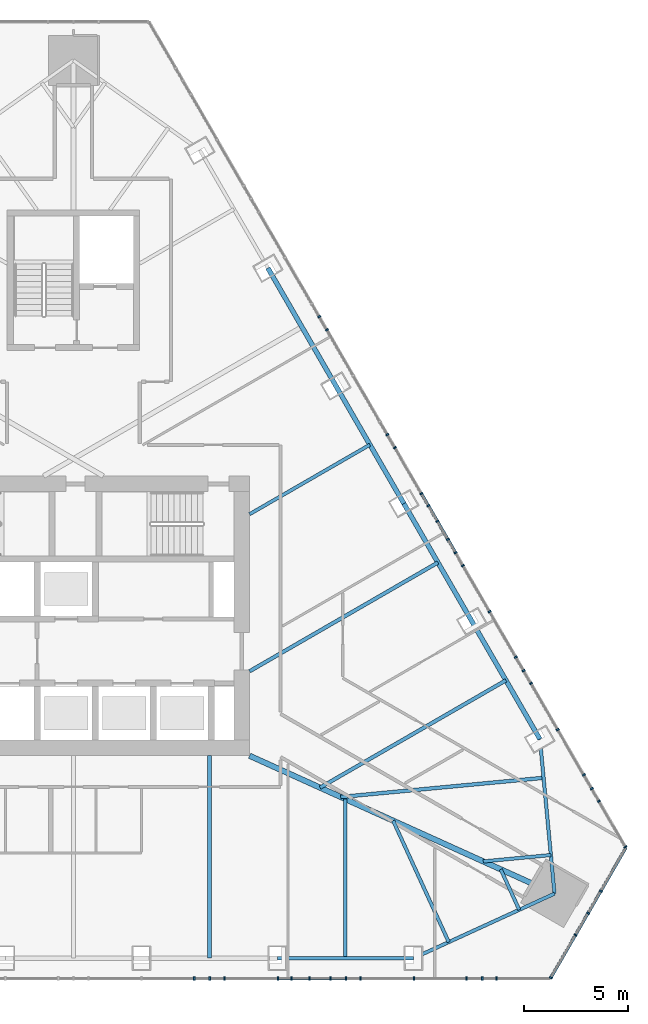
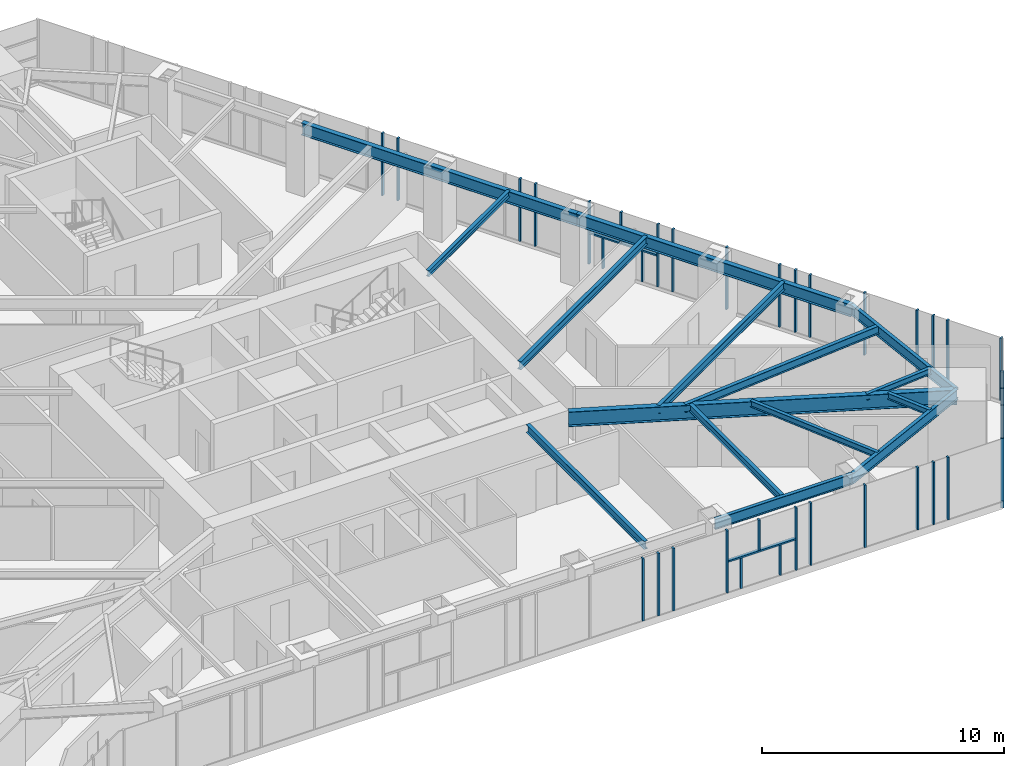
# One storey, part 8 of 20: 39 members, 15 beams, 3 elements without a shape of their own.
"""IFC4 building model written with IfcOpenShell, lengths in metres."""

from ifc_helpers import new_model, si_unit, direction, frame, origin, origin_2d, place, context, subcontext, project, spatial, rectangle, i_section, extrude, material, layer, layer_set, material_profile, profile_set, type_object, element, aggregate, save


model = new_model("IFC4")

# Units and contexts
model_context = context("Model", 3, precision=1e-05, world=origin(), true_north=direction((0.0, 1.0)))
body_context = subcontext(model_context, "Body", "Model", "MODEL_VIEW")
ifc_project = project(units=[si_unit("LENGTHUNIT", "METRE"), si_unit("AREAUNIT", "SQUARE_METRE"), si_unit("VOLUMEUNIT", "CUBIC_METRE"), si_unit("PLANEANGLEUNIT", "RADIAN"), si_unit("MASSUNIT", "GRAM", prefix="KILO")], contexts=[model_context])

# Site, building, storey
site_placement = place(None, origin())
site = spatial("IfcSite", under=ifc_project, at=site_placement, CompositionType="ELEMENT")
building_placement = place(site_placement, origin())
building = spatial("IfcBuilding", under=site, at=building_placement, Name="Firuza Gate Tower and Library", CompositionType="ELEMENT")
storey_placement = place(building_placement, frame((0.0, 0.0, 277.60009765625)))
storey = spatial("IfcBuildingStorey", under=building, at=storey_placement, Name="L66", CompositionType="ELEMENT", Elevation=277.60009765625)

# Curtain wall, members
ifc_material_1 = material(Name="Aluminium 6063-T6", Category="aluminium")
ifc_layer_1 = layer(ifc_material_1, 0.14990234375)
ifc_layer_set_1 = layer_set([ifc_layer_1], Name="Unitised curtain wall, residences")
curtain_wall_type_1 = type_object("IfcCurtainWallType", Name="Unitised curtain wall, residences", PredefinedType="NOTDEFINED", material=ifc_layer_set_1)
placement = place(storey_placement, origin())
curtain_wall_1 = element("IfcCurtainWall", 1, at=placement, inside=storey, type_object=curtain_wall_type_1, Name="CW3 L66 S face", PredefinedType="NOTDEFINED")
ifc_material_2 = material(Name="Aluminium 6063-T6", Category="aluminium")
ifc_material_profile_1 = material_profile(ifc_material_2, rectangle(XDim=0.14990234375, YDim=0.080078125, at=origin_2d()))
ifc_profile_set_1 = profile_set([ifc_material_profile_1], Name="Aluminium 6063-T6")
member_type_1 = type_object("IfcMemberType", Name="Curtain wall mullion 80x150", PredefinedType="MULLION", material=ifc_profile_set_1)
member_1_placement = place(storey_placement, frame((81.57763671875, 57.501220703125, 0.14990234375), z_axis=(0.0, 0.0, 1.0), x_axis=(0.0, 1.0, 0.0)))
member_1 = element("IfcMember", 2, at=member_1_placement, type_object=member_type_1, Name="Mullion", PredefinedType="MULLION", context=body_context, shape_type="SweptSolid", body=[
    extrude(rectangle(XDim=0.14990234375, YDim=0.080078125, at=origin_2d()), origin(), (0.0, 0.0, 1.0), 3.14990234375),
])
member_2_placement = place(storey_placement, frame((84.866455078125, 57.501220703125, 0.14990234375), z_axis=(0.0, 0.0, 1.0), x_axis=(0.0, 1.0, 0.0)))
member_2 = element("IfcMember", 3, at=member_2_placement, type_object=member_type_1, Name="Mullion", PredefinedType="MULLION", context=body_context, shape_type="SweptSolid", body=[
    extrude(rectangle(XDim=0.14990234375, YDim=0.080078125, at=origin_2d()), origin(), (0.0, 0.0, 1.0), 3.14990234375),
])
member_3_placement = place(storey_placement, frame((88.155517578125, 57.501220703125, 0.14990234375), z_axis=(0.0, 0.0, 1.0), x_axis=(0.0, 1.0, 0.0)))
member_3 = element("IfcMember", 4, at=member_3_placement, type_object=member_type_1, Name="Mullion", PredefinedType="MULLION", context=body_context, shape_type="SweptSolid", body=[
    extrude(rectangle(XDim=0.14990234375, YDim=0.080078125, at=origin_2d()), origin(), (0.0, 0.0, 1.0), 3.14990234375),
])
member_4_placement = place(storey_placement, frame((91.4443359375, 57.501220703125, 0.14990234375), z_axis=(0.0, 0.0, 1.0), x_axis=(0.0, 1.0, 0.0)))
member_4 = element("IfcMember", 5, at=member_4_placement, type_object=member_type_1, Name="Mullion", PredefinedType="MULLION", context=body_context, shape_type="SweptSolid", body=[
    extrude(rectangle(XDim=0.14990234375, YDim=0.080078125, at=origin_2d()), origin(), (0.0, 0.0, 1.0), 3.14990234375),
])
member_5_placement = place(storey_placement, frame((94.733154296875, 57.501220703125, 0.14990234375), z_axis=(0.0, 0.0, 1.0), x_axis=(0.0, 1.0, 0.0)))
member_5 = element("IfcMember", 6, at=member_5_placement, type_object=member_type_1, Name="Mullion", PredefinedType="MULLION", context=body_context, shape_type="SweptSolid", body=[
    extrude(rectangle(XDim=0.14990234375, YDim=0.080078125, at=origin_2d()), origin(), (0.0, 0.0, 1.0), 3.14990234375),
])
member_6_placement = place(storey_placement, frame((80.835205078125, 57.501220703125, 0.14990234375), z_axis=(0.0, 0.0, 1.0), x_axis=(0.0, 1.0, 0.0)))
member_6 = element("IfcMember", 7, at=member_6_placement, type_object=member_type_1, Name="Mullion", PredefinedType="MULLION", context=body_context, shape_type="SweptSolid", body=[
    extrude(rectangle(XDim=0.14990234375, YDim=0.080078125, at=origin_2d()), origin(), (0.0, 0.0, 1.0), 3.14990234375),
])
member_7_placement = place(storey_placement, frame((82.295654296875, 57.501220703125, 0.14990234375), z_axis=(0.0, 0.0, 1.0), x_axis=(0.0, 1.0, 0.0)))
member_7 = element("IfcMember", 8, at=member_7_placement, type_object=member_type_1, Name="Mullion", PredefinedType="MULLION", context=body_context, shape_type="SweptSolid", body=[
    extrude(rectangle(XDim=0.14990234375, YDim=0.080078125, at=origin_2d()), origin(), (0.0, 0.0, 1.0), 3.14990234375),
])
member_8_placement = place(storey_placement, frame((85.525146484375, 57.501220703125, 0.14990234375), z_axis=(0.0, 0.0, 1.0), x_axis=(0.0, 1.0, 0.0)))
member_8 = element("IfcMember", 9, at=member_8_placement, type_object=member_type_1, Name="Mullion", PredefinedType="MULLION", context=body_context, shape_type="SweptSolid", body=[
    extrude(rectangle(XDim=0.14990234375, YDim=0.080078125, at=origin_2d()), origin(), (0.0, 0.0, 1.0), 1.534912109375),
])
member_9_placement = place(storey_placement, frame((87.400390625, 57.501220703125, 0.14990234375), z_axis=(0.0, 0.0, 1.0), x_axis=(0.0, 1.0, 0.0)))
member_9 = element("IfcMember", 10, at=member_9_placement, type_object=member_type_1, Name="Mullion", PredefinedType="MULLION", context=body_context, shape_type="SweptSolid", body=[
    extrude(rectangle(XDim=0.14990234375, YDim=0.080078125, at=origin_2d()), origin(), (0.0, 0.0, 1.0), 1.534912109375),
])
member_10_placement = place(storey_placement, frame((86.390625, 57.501220703125, 1.764892578125), z_axis=(0.0, 0.0, 1.0), x_axis=(0.0, 1.0, 0.0)))
member_10 = element("IfcMember", 11, at=member_10_placement, type_object=member_type_1, Name="Mullion", PredefinedType="MULLION", context=body_context, shape_type="SweptSolid", body=[
    extrude(rectangle(XDim=0.14990234375, YDim=0.080078125, at=origin_2d()), origin(), (0.0, 0.0, 1.0), 1.534912109375),
])
member_11_placement = place(storey_placement, frame((88.86083984375, 57.501220703125, 0.14990234375), z_axis=(0.0, 0.0, 1.0), x_axis=(0.0, 1.0, 0.0)))
member_11 = element("IfcMember", 12, at=member_11_placement, type_object=member_type_1, Name="Mullion", PredefinedType="MULLION", context=body_context, shape_type="SweptSolid", body=[
    extrude(rectangle(XDim=0.14990234375, YDim=0.080078125, at=origin_2d()), origin(), (0.0, 0.0, 1.0), 3.14990234375),
])
member_12_placement = place(storey_placement, frame((93.9658203125, 57.501220703125, 0.14990234375), z_axis=(0.0, 0.0, 1.0), x_axis=(0.0, 1.0, 0.0)))
member_12 = element("IfcMember", 13, at=member_12_placement, type_object=member_type_1, Name="Mullion", PredefinedType="MULLION", context=body_context, shape_type="SweptSolid", body=[
    extrude(rectangle(XDim=0.14990234375, YDim=0.080078125, at=origin_2d()), origin(), (0.0, 0.0, 1.0), 3.14990234375),
])
member_13_placement = place(storey_placement, frame((95.42626953125, 57.501220703125, 0.14990234375), z_axis=(0.0, 0.0, 1.0), x_axis=(0.0, 1.0, 0.0)))
member_13 = element("IfcMember", 14, at=member_13_placement, type_object=member_type_1, Name="Mullion", PredefinedType="MULLION", context=body_context, shape_type="SweptSolid", body=[
    extrude(rectangle(XDim=0.14990234375, YDim=0.080078125, at=origin_2d()), origin(), (0.0, 0.0, 1.0), 3.14990234375),
])

ifc_material_3 = material(Name="Aluminium 6063-T6", Category="aluminium")
ifc_layer_2 = layer(ifc_material_3, 0.14990234375)
ifc_layer_set_2 = layer_set([ifc_layer_2], Name="Corner curtain wall, chamfers")
curtain_wall_type_2 = type_object("IfcCurtainWallType", Name="Corner curtain wall, chamfers", PredefinedType="NOTDEFINED", material=ifc_layer_set_2)
curtain_wall_2 = element("IfcCurtainWall", 15, at=placement, inside=storey, type_object=curtain_wall_type_2, Name="CW4 L66 SE corner", PredefinedType="NOTDEFINED")
member_14_placement = place(storey_placement, frame((98.0419921875, 57.535888671875, 0.14990234375), z_axis=(0.0, 0.0, 1.0), x_axis=(-0.866025403784, 0.5, 0.0)))
member_14 = element("IfcMember", 16, at=member_14_placement, type_object=member_type_1, Name="Mullion", PredefinedType="MULLION", context=body_context, shape_type="SweptSolid", body=[
    extrude(rectangle(XDim=0.14990234375, YDim=0.080078125, at=origin_2d()), origin(), (0.0, 0.0, 1.0), 3.14990234375),
])
member_15_placement = place(storey_placement, frame((99.843505859375, 60.656494140625, 0.14990234375), z_axis=(0.0, 0.0, 1.0), x_axis=(-0.866025403784, 0.5, 0.0)))
member_15 = element("IfcMember", 17, at=member_15_placement, type_object=member_type_1, Name="Mullion", PredefinedType="MULLION", context=body_context, shape_type="SweptSolid", body=[
    extrude(rectangle(XDim=0.14990234375, YDim=0.080078125, at=origin_2d()), origin(), (0.0, 0.0, 1.0), 3.14990234375),
])
member_16_placement = place(storey_placement, frame((99.232421875, 59.59814453125, 0.14990234375), z_axis=(0.0, 0.0, 1.0), x_axis=(-0.866025403784, 0.5, 0.0)))
member_16 = element("IfcMember", 18, at=member_16_placement, type_object=member_type_1, Name="Mullion", PredefinedType="MULLION", context=body_context, shape_type="SweptSolid", body=[
    extrude(rectangle(XDim=0.14990234375, YDim=0.080078125, at=origin_2d()), origin(), (0.0, 0.0, 1.0), 3.14990234375),
])
member_17_placement = place(storey_placement, frame((100.45458984375, 61.71484375, 0.14990234375), z_axis=(0.0, 0.0, 1.0), x_axis=(-0.866025403784, 0.5, 0.0)))
member_17 = element("IfcMember", 19, at=member_17_placement, type_object=member_type_1, Name="Mullion", PredefinedType="MULLION", context=body_context, shape_type="SweptSolid", body=[
    extrude(rectangle(XDim=0.14990234375, YDim=0.080078125, at=origin_2d()), origin(), (0.0, 0.0, 1.0), 3.14990234375),
])

curtain_wall_3 = element("IfcCurtainWall", 20, at=placement, inside=storey, type_object=curtain_wall_type_1, Name="CW3 L66 E face", PredefinedType="NOTDEFINED")
member_18_placement = place(storey_placement, frame((101.645263671875, 63.846435546875, 0.14990234375), z_axis=(0.0, 0.0, 1.0), x_axis=(-0.866025403784, -0.5, 0.0)))
member_18 = element("IfcMember", 21, at=member_18_placement, type_object=member_type_1, Name="Mullion", PredefinedType="MULLION", context=body_context, shape_type="SweptSolid", body=[
    extrude(rectangle(XDim=0.14990234375, YDim=0.080078125, at=origin_2d()), origin(), (0.0, 0.0, 1.0), 3.14990234375),
])
member_19_placement = place(storey_placement, frame((100.020751953125, 66.659912109375, 0.14990234375), z_axis=(0.0, 0.0, 1.0), x_axis=(-0.866025403784, -0.5, 0.0)))
member_19 = element("IfcMember", 22, at=member_19_placement, type_object=member_type_1, Name="Mullion", PredefinedType="MULLION", context=body_context, shape_type="SweptSolid", body=[
    extrude(rectangle(XDim=0.14990234375, YDim=0.080078125, at=origin_2d()), origin(), (0.0, 0.0, 1.0), 3.14990234375),
])
member_20_placement = place(storey_placement, frame((98.37646484375, 69.50830078125, 0.14990234375), z_axis=(0.0, 0.0, 1.0), x_axis=(-0.866025403784, -0.5, 0.0)))
member_20 = element("IfcMember", 23, at=member_20_placement, type_object=member_type_1, Name="Mullion", PredefinedType="MULLION", context=body_context, shape_type="SweptSolid", body=[
    extrude(rectangle(XDim=0.14990234375, YDim=0.080078125, at=origin_2d()), origin(), (0.0, 0.0, 1.0), 3.14990234375),
])
member_21_placement = place(storey_placement, frame((96.73193359375, 72.3564453125, 0.14990234375), z_axis=(0.0, 0.0, 1.0), x_axis=(-0.866025403784, -0.5, 0.0)))
member_21 = element("IfcMember", 24, at=member_21_placement, type_object=member_type_1, Name="Mullion", PredefinedType="MULLION", context=body_context, shape_type="SweptSolid", body=[
    extrude(rectangle(XDim=0.14990234375, YDim=0.080078125, at=origin_2d()), origin(), (0.0, 0.0, 1.0), 3.14990234375),
])
member_22_placement = place(storey_placement, frame((95.087646484375, 75.20458984375, 0.14990234375), z_axis=(0.0, 0.0, 1.0), x_axis=(-0.866025403784, -0.5, 0.0)))
member_22 = element("IfcMember", 25, at=member_22_placement, type_object=member_type_1, Name="Mullion", PredefinedType="MULLION", context=body_context, shape_type="SweptSolid", body=[
    extrude(rectangle(XDim=0.14990234375, YDim=0.080078125, at=origin_2d()), origin(), (0.0, 0.0, 1.0), 3.14990234375),
])
member_23_placement = place(storey_placement, frame((93.443115234375, 78.052978515625, 0.14990234375), z_axis=(0.0, 0.0, 1.0), x_axis=(-0.866025403784, -0.5, 0.0)))
member_23 = element("IfcMember", 26, at=member_23_placement, type_object=member_type_1, Name="Mullion", PredefinedType="MULLION", context=body_context, shape_type="SweptSolid", body=[
    extrude(rectangle(XDim=0.14990234375, YDim=0.080078125, at=origin_2d()), origin(), (0.0, 0.0, 1.0), 3.14990234375),
])
member_24_placement = place(storey_placement, frame((91.798828125, 80.901123046875, 0.14990234375), z_axis=(0.0, 0.0, 1.0), x_axis=(-0.866025403784, -0.5, 0.0)))
member_24 = element("IfcMember", 27, at=member_24_placement, type_object=member_type_1, Name="Mullion", PredefinedType="MULLION", context=body_context, shape_type="SweptSolid", body=[
    extrude(rectangle(XDim=0.14990234375, YDim=0.080078125, at=origin_2d()), origin(), (0.0, 0.0, 1.0), 3.14990234375),
])
member_25_placement = place(storey_placement, frame((90.154296875, 83.749267578125, 0.14990234375), z_axis=(0.0, 0.0, 1.0), x_axis=(-0.866025403784, -0.5, 0.0)))
member_25 = element("IfcMember", 28, at=member_25_placement, type_object=member_type_1, Name="Mullion", PredefinedType="MULLION", context=body_context, shape_type="SweptSolid", body=[
    extrude(rectangle(XDim=0.14990234375, YDim=0.080078125, at=origin_2d()), origin(), (0.0, 0.0, 1.0), 3.14990234375),
])
member_26_placement = place(storey_placement, frame((86.865478515625, 89.44580078125, 0.14990234375), z_axis=(0.0, 0.0, 1.0), x_axis=(-0.866025403784, -0.5, 0.0)))
member_26 = element("IfcMember", 29, at=member_26_placement, type_object=member_type_1, Name="Mullion", PredefinedType="MULLION", context=body_context, shape_type="SweptSolid", body=[
    extrude(rectangle(XDim=0.14990234375, YDim=0.080078125, at=origin_2d()), origin(), (0.0, 0.0, 1.0), 3.14990234375),
])
member_27_placement = place(storey_placement, frame((100.367431640625, 66.059814453125, 0.14990234375), z_axis=(0.0, 0.0, 1.0), x_axis=(-0.866025403784, -0.5, 0.0)))
member_27 = element("IfcMember", 30, at=member_27_placement, type_object=member_type_1, Name="Mullion", PredefinedType="MULLION", context=body_context, shape_type="SweptSolid", body=[
    extrude(rectangle(XDim=0.14990234375, YDim=0.080078125, at=origin_2d()), origin(), (0.0, 0.0, 1.0), 3.14990234375),
])
member_28_placement = place(storey_placement, frame((99.63720703125, 67.324462890625, 0.14990234375), z_axis=(0.0, 0.0, 1.0), x_axis=(-0.866025403784, -0.5, 0.0)))
member_28 = element("IfcMember", 31, at=member_28_placement, type_object=member_type_1, Name="Mullion", PredefinedType="MULLION", context=body_context, shape_type="SweptSolid", body=[
    extrude(rectangle(XDim=0.14990234375, YDim=0.080078125, at=origin_2d()), origin(), (0.0, 0.0, 1.0), 3.14990234375),
])
member_29_placement = place(storey_placement, frame((97.084716796875, 71.745361328125, 0.14990234375), z_axis=(0.0, 0.0, 1.0), x_axis=(-0.866025403784, -0.5, 0.0)))
member_29 = element("IfcMember", 32, at=member_29_placement, type_object=member_type_1, Name="Mullion", PredefinedType="MULLION", context=body_context, shape_type="SweptSolid", body=[
    extrude(rectangle(XDim=0.14990234375, YDim=0.080078125, at=origin_2d()), origin(), (0.0, 0.0, 1.0), 3.14990234375),
])
member_30_placement = place(storey_placement, frame((96.3544921875, 73.01025390625, 0.14990234375), z_axis=(0.0, 0.0, 1.0), x_axis=(-0.866025403784, -0.5, 0.0)))
member_30 = element("IfcMember", 33, at=member_30_placement, type_object=member_type_1, Name="Mullion", PredefinedType="MULLION", context=body_context, shape_type="SweptSolid", body=[
    extrude(rectangle(XDim=0.14990234375, YDim=0.080078125, at=origin_2d()), origin(), (0.0, 0.0, 1.0), 3.14990234375),
])
member_31_placement = place(storey_placement, frame((93.802001953125, 77.43115234375, 0.14990234375), z_axis=(0.0, 0.0, 1.0), x_axis=(-0.866025403784, -0.5, 0.0)))
member_31 = element("IfcMember", 34, at=member_31_placement, type_object=member_type_1, Name="Mullion", PredefinedType="MULLION", context=body_context, shape_type="SweptSolid", body=[
    extrude(rectangle(XDim=0.14990234375, YDim=0.080078125, at=origin_2d()), origin(), (0.0, 0.0, 1.0), 3.14990234375),
])
member_32_placement = place(storey_placement, frame((93.07177734375, 78.696044921875, 0.14990234375), z_axis=(0.0, 0.0, 1.0), x_axis=(-0.866025403784, -0.5, 0.0)))
member_32 = element("IfcMember", 35, at=member_32_placement, type_object=member_type_1, Name="Mullion", PredefinedType="MULLION", context=body_context, shape_type="SweptSolid", body=[
    extrude(rectangle(XDim=0.14990234375, YDim=0.080078125, at=origin_2d()), origin(), (0.0, 0.0, 1.0), 1.534912109375),
])
member_33_placement = place(storey_placement, frame((92.13427734375, 80.320068359375, 0.14990234375), z_axis=(0.0, 0.0, 1.0), x_axis=(-0.866025403784, -0.5, 0.0)))
member_33 = element("IfcMember", 36, at=member_33_placement, type_object=member_type_1, Name="Mullion", PredefinedType="MULLION", context=body_context, shape_type="SweptSolid", body=[
    extrude(rectangle(XDim=0.14990234375, YDim=0.080078125, at=origin_2d()), origin(), (0.0, 0.0, 1.0), 1.534912109375),
])
member_34_placement = place(storey_placement, frame((92.56689453125, 79.570556640625, 1.764892578125), z_axis=(0.0, 0.0, 1.0), x_axis=(-0.866025403784, -0.5, 0.0)))
member_34 = element("IfcMember", 37, at=member_34_placement, type_object=member_type_1, Name="Mullion", PredefinedType="MULLION", context=body_context, shape_type="SweptSolid", body=[
    extrude(rectangle(XDim=0.14990234375, YDim=0.080078125, at=origin_2d()), origin(), (0.0, 0.0, 1.0), 1.534912109375),
])
member_35_placement = place(storey_placement, frame((90.519287109375, 83.116943359375, 0.14990234375), z_axis=(0.0, 0.0, 1.0), x_axis=(-0.866025403784, -0.5, 0.0)))
member_35 = element("IfcMember", 38, at=member_35_placement, type_object=member_type_1, Name="Mullion", PredefinedType="MULLION", context=body_context, shape_type="SweptSolid", body=[
    extrude(rectangle(XDim=0.14990234375, YDim=0.080078125, at=origin_2d()), origin(), (0.0, 0.0, 1.0), 3.14990234375),
])
member_36_placement = place(storey_placement, frame((87.23681640625, 88.802734375, 0.14990234375), z_axis=(0.0, 0.0, 1.0), x_axis=(-0.866025403784, -0.5, 0.0)))
member_36 = element("IfcMember", 39, at=member_36_placement, type_object=member_type_1, Name="Mullion", PredefinedType="MULLION", context=body_context, shape_type="SweptSolid", body=[
    extrude(rectangle(XDim=0.14990234375, YDim=0.080078125, at=origin_2d()), origin(), (0.0, 0.0, 1.0), 3.14990234375),
])

# Member
ifc_material_4 = material(Name="Aluminium 6063-T6", Category="aluminium")
ifc_material_profile_2 = material_profile(ifc_material_4, rectangle(XDim=0.14990234375, YDim=0.35009765625, at=origin_2d()))
ifc_profile_set_2 = profile_set([ifc_material_profile_2], Name="Aluminium 6063-T6")
member_type_2 = type_object("IfcMemberType", Name="Curtain wall transom 350x150", PredefinedType="USERDEFINED", material=ifc_profile_set_2)
member_37_placement = place(storey_placement, frame((98.02197265625, 57.501220703125, -0.025146484375), z_axis=(0.499991211061, 0.866030478021, 0.0), x_axis=(-0.866030478021, 0.499991211061, 0.0)))
member_37 = element("IfcMember", 40, at=member_37_placement, type_object=member_type_2, Name="Transom", ObjectType="TRANSOM", PredefinedType="USERDEFINED", context=body_context, shape_type="SweptSolid", body=[
    extrude(rectangle(XDim=0.14990234375, YDim=0.35009765625, at=origin_2d()), origin(), (0.0, 0.0, 1.0), 7.286865234375),
])

aggregate(curtain_wall_2, [member_14, member_15, member_37, member_16, member_17])

ifc_material_5 = material(Name="Aluminium 6063-T6", Category="aluminium")
ifc_material_profile_3 = material_profile(ifc_material_5, rectangle(XDim=0.14990234375, YDim=0.080078125, at=origin_2d()))
ifc_profile_set_3 = profile_set([ifc_material_profile_3], Name="Aluminium 6063-T6")
member_type_3 = type_object("IfcMemberType", Name="Curtain wall transom 80x150", PredefinedType="USERDEFINED", material=ifc_profile_set_3)
member_38_placement = place(storey_placement, frame((84.906494140625, 57.501220703125, 1.724853515625), z_axis=(1.0, 0.0, 0.0), x_axis=(0.0, 1.0, 0.0)))
member_38 = element("IfcMember", 41, at=member_38_placement, type_object=member_type_3, Name="Transom", ObjectType="TRANSOM", PredefinedType="USERDEFINED", context=body_context, shape_type="SweptSolid", body=[
    extrude(rectangle(XDim=0.14990234375, YDim=0.080078125, at=origin_2d()), origin(), (0.0, 0.0, 1.0), 3.208984375),
])

aggregate(curtain_wall_1, [member_1, member_2, member_3, member_4, member_5, member_6, member_7, member_8, member_9, member_10, member_38, member_11, member_12, member_13])

member_39_placement = place(storey_placement, frame((93.423095703125, 78.08740234375, 1.724853515625), z_axis=(-0.500001248813, 0.866024682781, 0.0), x_axis=(-0.866024682781, -0.500001248813, 0.0)))
member_39 = element("IfcMember", 42, at=member_39_placement, type_object=member_type_3, Name="Transom", ObjectType="TRANSOM", PredefinedType="USERDEFINED", context=body_context, shape_type="SweptSolid", body=[
    extrude(rectangle(XDim=0.14990234375, YDim=0.080078125, at=origin_2d()), origin(), (0.0, 0.0, 1.0), 3.208984375),
])

aggregate(curtain_wall_3, [member_18, member_19, member_20, member_21, member_22, member_23, member_24, member_25, member_26, member_27, member_28, member_29, member_30, member_31, member_32, member_33, member_34, member_39, member_35, member_36])

# Beams
ifc_material_6 = material(Name="Steel S355", Category="steel")
ifc_material_profile_4 = material_profile(ifc_material_6, i_section(OverallWidth=0.1650390625, OverallDepth=0.31005859375, WebThickness=0.005859375, FlangeThickness=0.009765625, at=origin_2d()))
ifc_profile_set_4 = profile_set([ifc_material_profile_4], Name="Steel S355")
beam_type_1 = type_object("IfcBeamType", Name="W310x39 Floor beam", PredefinedType="JOIST", material=ifc_profile_set_4)
beam_1_placement = place(storey_placement, frame((93.114990234375, 59.255859375, 3.14501953125), z_axis=(-0.416440813943, 0.909162828366, 0.0), x_axis=(-0.909162828366, -0.416440813943, 0.0)))
element("IfcBeam", 43, at=beam_1_placement, inside=storey, type_object=beam_type_1, Name="Floor beam L66 s30", PredefinedType="JOIST", context=body_context, shape_type="SweptSolid", body=[
    extrude(i_section(OverallWidth=0.1650390625, OverallDepth=0.31005859375, WebThickness=0.005859375, FlangeThickness=0.009765625, at=origin_2d()), origin(), (0.0, 0.0, 1.0), 6.44580078125),
])
beam_2_placement = place(storey_placement, frame((96.518310546875, 60.814697265625, 3.14501953125), z_axis=(-0.416455154512, 0.909156259551, 0.0), x_axis=(-0.909156259551, -0.416455154512, 0.0)))
element("IfcBeam", 44, at=beam_2_placement, inside=storey, type_object=beam_type_1, Name="Floor beam L66 s31", PredefinedType="JOIST", context=body_context, shape_type="SweptSolid", body=[
    extrude(i_section(OverallWidth=0.1650390625, OverallDepth=0.31005859375, WebThickness=0.005859375, FlangeThickness=0.009765625, at=origin_2d()), origin(), (0.0, 0.0, 1.0), 2.1484375),
])
beam_3_placement = place(storey_placement, frame((98.0439453125, 63.457275390625, 3.14501953125), z_axis=(-0.995581079201, -0.09390588233, 0.0), x_axis=(0.09390588233, -0.995581079201, 0.0)))
element("IfcBeam", 45, at=beam_3_placement, inside=storey, type_object=beam_type_1, Name="Floor beam L66 s40", PredefinedType="JOIST", context=body_context, shape_type="SweptSolid", body=[
    extrude(i_section(OverallWidth=0.1650390625, OverallDepth=0.31005859375, WebThickness=0.005859375, FlangeThickness=0.009765625, at=origin_2d()), origin(), (0.0, 0.0, 1.0), 3.2783203125),
])
beam_4_placement = place(storey_placement, frame((89.309814453125, 83.26171875, 3.14501953125), z_axis=(-0.866028624078, -0.499994422247, 0.0), x_axis=(0.499994422247, -0.866028624078, 0.0)))
element("IfcBeam", 46, at=beam_4_placement, inside=storey, type_object=beam_type_1, Name="Floor beam L66 s52", PredefinedType="JOIST", context=body_context, shape_type="SweptSolid", body=[
    extrude(i_section(OverallWidth=0.1650390625, OverallDepth=0.31005859375, WebThickness=0.005859375, FlangeThickness=0.009765625, at=origin_2d()), origin(), (0.0, 0.0, 1.0), 6.70849609375),
])
ifc_material_7 = material(Name="Steel S355", Category="steel")
ifc_material_profile_5 = material_profile(ifc_material_7, i_section(OverallWidth=0.1708984375, OverallDepth=0.35498046875, WebThickness=0.007080078125, FlangeThickness=0.01171875, at=origin_2d()))
ifc_profile_set_5 = profile_set([ifc_material_profile_5], Name="Steel S355")
beam_type_2 = type_object("IfcBeamType", Name="W360x51 Floor beam", PredefinedType="JOIST", material=ifc_profile_set_5)
beam_5_placement = place(storey_placement, frame((88.130615234375, 58.476318359375, 3.122314453125), z_axis=(0.0, 1.0, 0.0), x_axis=(-1.0, 0.0, 0.0)))
element("IfcBeam", 47, at=beam_5_placement, inside=storey, type_object=beam_type_2, Name="Floor beam L66 s24", PredefinedType="JOIST", context=body_context, shape_type="SweptSolid", body=[
    extrude(i_section(OverallWidth=0.1708984375, OverallDepth=0.35498046875, WebThickness=0.007080078125, FlangeThickness=0.01171875, at=origin_2d()), origin(), (0.0, 0.0, 1.0), 7.6796875),
])
ifc_material_8 = material(Name="Steel S355", Category="steel")
ifc_material_profile_6 = material_profile(ifc_material_8, i_section(OverallWidth=0.177978515625, OverallDepth=0.406982421875, WebThickness=0.0078125, FlangeThickness=0.0126953125, at=origin_2d()))
ifc_profile_set_6 = profile_set([ifc_material_profile_6], Name="Steel S355")
beam_type_3 = type_object("IfcBeamType", Name="W410x60 Floor beam", PredefinedType="JOIST", material=ifc_profile_set_6)
beam_6_placement = place(storey_placement, frame((81.5654296875, 58.476318359375, 3.096435546875), z_axis=(0.0, 1.0, 0.0), x_axis=(-1.0, 0.0, 0.0)))
element("IfcBeam", 48, at=beam_6_placement, inside=storey, type_object=beam_type_3, Name="Floor beam L66 s23", PredefinedType="JOIST", context=body_context, shape_type="SweptSolid", body=[
    extrude(i_section(OverallWidth=0.177978515625, OverallDepth=0.406982421875, WebThickness=0.0078125, FlangeThickness=0.0126953125, at=origin_2d()), origin(), (0.0, 0.0, 1.0), 9.773681640625),
])
beam_7_placement = place(storey_placement, frame((97.6923828125, 67.18408203125, 3.096435546875), z_axis=(-0.99557897717, -0.093928165194, 0.0), x_axis=(0.093928165194, -0.99557897717, 0.0)))
element("IfcBeam", 49, at=beam_7_placement, inside=storey, type_object=beam_type_3, Name="Floor beam L66 s41", PredefinedType="JOIST", context=body_context, shape_type="SweptSolid", body=[
    extrude(i_section(OverallWidth=0.177978515625, OverallDepth=0.406982421875, WebThickness=0.0078125, FlangeThickness=0.0126953125, at=origin_2d()), origin(), (0.0, 0.0, 1.0), 9.83544921875),
])
beam_8_placement = place(storey_placement, frame((95.875244140625, 71.890380859375, 3.096435546875), z_axis=(-0.866018392704, -0.500012143352, 0.0), x_axis=(0.500012143352, -0.866018392704, 0.0)))
element("IfcBeam", 50, at=beam_8_placement, inside=storey, type_object=beam_type_3, Name="Floor beam L66 s50", PredefinedType="JOIST", context=body_context, shape_type="SweptSolid", body=[
    extrude(i_section(OverallWidth=0.177978515625, OverallDepth=0.406982421875, WebThickness=0.0078125, FlangeThickness=0.0126953125, at=origin_2d()), origin(), (0.0, 0.0, 1.0), 10.359130859375),
])
beam_9_placement = place(storey_placement, frame((92.592529296875, 77.576171875, 3.096435546875), z_axis=(-0.866017913171, -0.500012973899, 0.0), x_axis=(0.500012973899, -0.866017913171, 0.0)))
element("IfcBeam", 51, at=beam_9_placement, inside=storey, type_object=beam_type_3, Name="Floor beam L66 s51", PredefinedType="JOIST", context=body_context, shape_type="SweptSolid", body=[
    extrude(i_section(OverallWidth=0.177978515625, OverallDepth=0.406982421875, WebThickness=0.0078125, FlangeThickness=0.0126953125, at=origin_2d()), origin(), (0.0, 0.0, 1.0), 10.499267578125),
])
ifc_material_9 = material(Name="Steel S355", Category="steel")
ifc_material_profile_7 = material_profile(ifc_material_9, i_section(OverallWidth=0.166015625, OverallDepth=0.534912109375, WebThickness=0.01025390625, FlangeThickness=0.0166015625, at=origin_2d()))
ifc_profile_set_7 = profile_set([ifc_material_profile_7], Name="Steel S355")
beam_type_4 = type_object("IfcBeamType", Name="W530x85 Edge beam", PredefinedType="SPANDREL", material=ifc_profile_set_7)
beam_10_placement = place(storey_placement, frame((84.847900390625, 58.476318359375, 3.032470703125), z_axis=(1.0, 0.0, 0.0), x_axis=(0.0, 1.0, 0.0)))
element("IfcBeam", 52, at=beam_10_placement, inside=storey, type_object=beam_type_4, Name="Edge beam L66 e24", PredefinedType="SPANDREL", context=body_context, shape_type="SweptSolid", body=[
    extrude(i_section(OverallWidth=0.166015625, OverallDepth=0.534912109375, WebThickness=0.01025390625, FlangeThickness=0.0166015625, at=origin_2d()), origin(), (0.0, 0.0, 1.0), 6.5654296875),
])
beam_11_placement = place(storey_placement, frame((91.413330078125, 58.476318359375, 3.032470703125), z_axis=(0.909162069669, 0.416442470306, 0.0), x_axis=(-0.416442470306, 0.909162069669, 0.0)))
element("IfcBeam", 53, at=beam_11_placement, inside=storey, type_object=beam_type_4, Name="Edge beam L66 e30", PredefinedType="SPANDREL", context=body_context, shape_type="SweptSolid", body=[
    extrude(i_section(OverallWidth=0.166015625, OverallDepth=0.534912109375, WebThickness=0.01025390625, FlangeThickness=0.0166015625, at=origin_2d()), origin(), (0.0, 0.0, 1.0), 7.486328125),
])
beam_12_placement = place(storey_placement, frame((98.2197265625, 61.593994140625, 3.032470703125), z_axis=(-0.093919545229, 0.995579790385, 0.0), x_axis=(-0.995579790385, -0.093919545229, 0.0)))
element("IfcBeam", 54, at=beam_12_placement, inside=storey, type_object=beam_type_4, Name="Edge beam L66 e40", PredefinedType="SPANDREL", context=body_context, shape_type="SweptSolid", body=[
    extrude(i_section(OverallWidth=0.166015625, OverallDepth=0.534912109375, WebThickness=0.01025390625, FlangeThickness=0.0166015625, at=origin_2d()), origin(), (0.0, 0.0, 1.0), 7.486572265625),
])
ifc_material_10 = material(Name="Steel S355", Category="steel")
ifc_material_profile_8 = material_profile(ifc_material_10, i_section(OverallWidth=0.22900390625, OverallDepth=0.612060546875, WebThickness=0.011962890625, FlangeThickness=0.01953125, at=origin_2d()))
ifc_profile_set_8 = profile_set([ifc_material_profile_8], Name="Steel S355")
beam_type_5 = type_object("IfcBeamType", Name="W610x125 Edge beam", PredefinedType="SPANDREL", material=ifc_profile_set_8)
beam_13_placement = place(storey_placement, frame((97.5166015625, 69.04736328125, 2.993896484375), z_axis=(-0.500002498361, 0.86602396135, 0.0), x_axis=(-0.86602396135, -0.500002498361, 0.0)))
element("IfcBeam", 55, at=beam_13_placement, inside=storey, type_object=beam_type_5, Name="Edge beam L66 e50", PredefinedType="SPANDREL", context=body_context, shape_type="SweptSolid", body=[
    extrude(i_section(OverallWidth=0.22900390625, OverallDepth=0.612060546875, WebThickness=0.011962890625, FlangeThickness=0.01953125, at=origin_2d()), origin(), (0.0, 0.0, 1.0), 13.130859375),
])
beam_14_placement = place(storey_placement, frame((90.951171875, 80.4189453125, 2.993896484375), z_axis=(-0.499988553475, 0.866032012338, 0.0), x_axis=(-0.866032012338, -0.499988553475, 0.0)))
element("IfcBeam", 56, at=beam_14_placement, inside=storey, type_object=beam_type_5, Name="Edge beam L66 e52", PredefinedType="SPANDREL", context=body_context, shape_type="SweptSolid", body=[
    extrude(i_section(OverallWidth=0.22900390625, OverallDepth=0.612060546875, WebThickness=0.011962890625, FlangeThickness=0.01953125, at=origin_2d()), origin(), (0.0, 0.0, 1.0), 13.130615234375),
])
ifc_material_11 = material(Name="Steel S355", Category="steel")
ifc_material_profile_9 = material_profile(ifc_material_11, i_section(OverallWidth=0.264892578125, OverallDepth=0.7529296875, WebThickness=0.01318359375, FlangeThickness=0.01708984375, at=origin_2d()))
ifc_profile_set_9 = profile_set([ifc_material_profile_9], Name="Steel S355")
beam_type_6 = type_object("IfcBeamType", Name="W760x147 Girder", PredefinedType="BEAM", material=ifc_profile_set_9)
beam_15_placement = place(storey_placement, frame((98.2197265625, 61.593994140625, 2.92333984375), z_axis=(-0.911175743471, 0.412017917705, 0.0), x_axis=(-0.412017917705, -0.911175743471, 0.0)))
element("IfcBeam", 57, at=beam_15_placement, inside=storey, type_object=beam_type_6, Name="Girder L66 gSE", PredefinedType="BEAM", context=body_context, shape_type="SweptSolid", body=[
    extrude(i_section(OverallWidth=0.264892578125, OverallDepth=0.7529296875, WebThickness=0.01318359375, FlangeThickness=0.01708984375, at=origin_2d()), origin(), (0.0, 0.0, 1.0), 16.154541015625),
])

save(model, "model.ifc")
